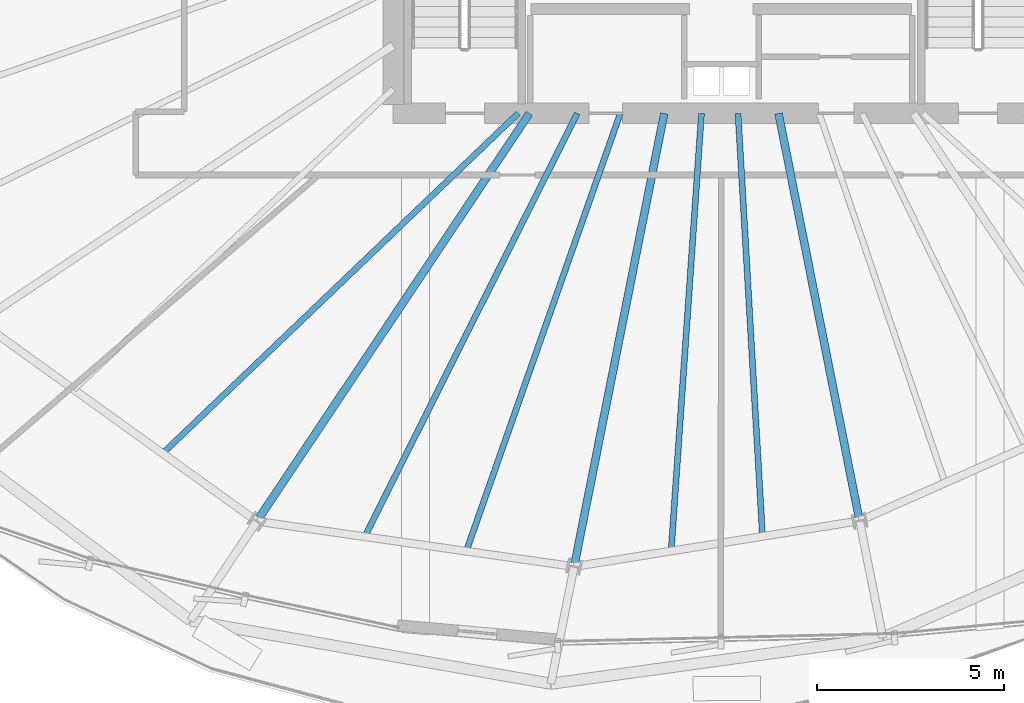
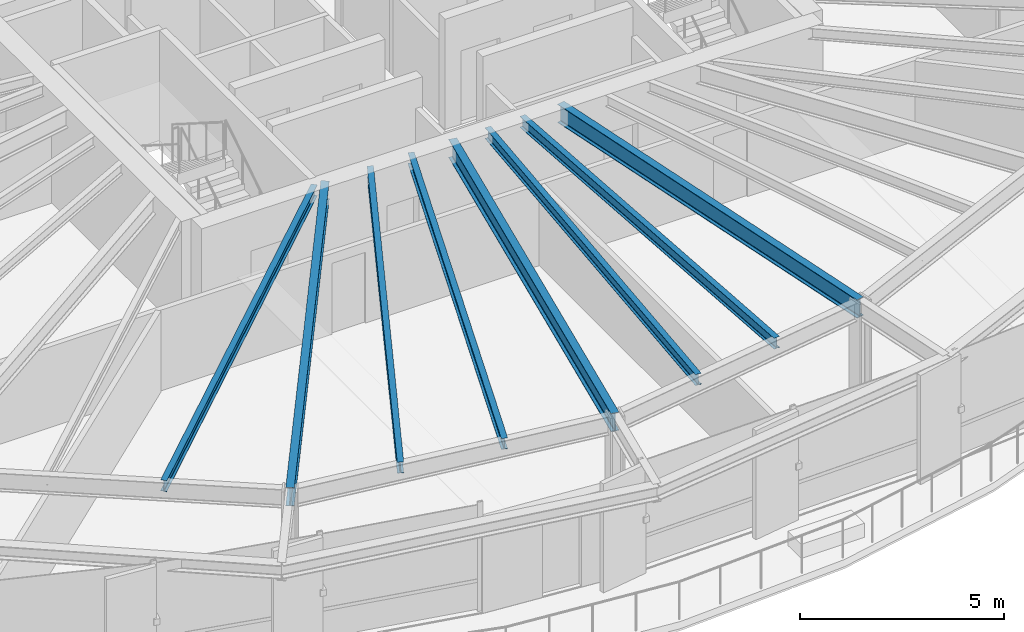
# One storey, part 7 of 37: 8 beams.
"""IFC4 building model written with IfcOpenShell, lengths in metres."""

import ifcopenshell
import ifcopenshell.guid

model = None  # the IFC model being written
_history = None  # IfcOwnerHistory: only IFC2X3 demands one
_inside = {}  # id of a spatial element -> (the spatial element, [elements in it])
_under = {}  # id of a project, library or spatial element -> (it, [spatial elements below it])
_declared = {}  # id of a project -> (the project, [libraries it declares])
_typed = {}  # id of a type object -> (the type object, [elements of that type])
_made_of = {}  # id of a material, layer set ... -> (it, [elements and type objects made of it])


def new_model(schema):
    """Start an empty IFC model of exactly this schema.

    Asked for "IFC4X3", IfcOpenShell would pick the latest addendum, in which some entities
    have other attributes; the version numbers below select the first issue.
    IFC2X3 requires an IfcOwnerHistory on every rooted entity: one is made here for all.
    """
    global model, _history
    if schema == "IFC4X3":
        model = ifcopenshell.file(schema_version=(4, 3, 0, 0))
    else:
        model = ifcopenshell.file(schema=schema)
    _inside.clear()
    _under.clear()
    _declared.clear()
    _typed.clear()
    _made_of.clear()
    _history = None
    if model.schema == "IFC2X3":
        org = make("IfcOrganization", Name="unknown")
        user = make(
            "IfcPersonAndOrganization",
            ThePerson=make("IfcPerson", FamilyName="unknown"),
            TheOrganization=org,
        )
        app = make(
            "IfcApplication",
            ApplicationDeveloper=org,
            Version="unknown",
            ApplicationFullName="unknown",
            ApplicationIdentifier="unknown",
        )
        _history = make(
            "IfcOwnerHistory",
            OwningUser=user,
            OwningApplication=app,
            ChangeAction="ADDED",
            CreationDate=0,
        )
    return model


def make(cls, **values):
    """One entity of the class cls with the attributes given. An attribute that is None is left unset."""
    return model.create_entity(
        cls, **{name: value for name, value in values.items() if value is not None}
    )


def rooted(cls, **values):
    """An entity with a GlobalId (a new one), such as an element, a storey or a relation."""
    return make(cls, GlobalId=ifcopenshell.guid.new(), OwnerHistory=_history, **values)


def si_unit(unit_type, name, prefix=None):
    """IfcSIUnit, for example si_unit("LENGTHUNIT", "METRE", prefix="MILLI")."""
    return make("IfcSIUnit", UnitType=unit_type, Prefix=prefix, Name=name)


def assignment(units):
    """IfcUnitAssignment: the units of a project."""
    return None if units is None else make("IfcUnitAssignment", Units=units)


def point(xyz):
    """IfcCartesianPoint."""
    return None if xyz is None else make("IfcCartesianPoint", Coordinates=xyz)


def direction(xyz):
    """IfcDirection."""
    return None if xyz is None else make("IfcDirection", DirectionRatios=xyz)


def frame(location, z_axis=None, x_axis=None):
    """IfcAxis2Placement3D, a coordinate frame: its origin and axes. An axis left out is left unset."""
    return make(
        "IfcAxis2Placement3D",
        Location=point(location),
        Axis=direction(z_axis),
        RefDirection=direction(x_axis),
    )


def frame_2d(location, x_axis=None):
    """IfcAxis2Placement2D, a coordinate frame in the plane: its origin and x axis."""
    return make(
        "IfcAxis2Placement2D", Location=point(location), RefDirection=direction(x_axis)
    )


def origin():
    """The frame at (0, 0, 0) with its axes left unset."""
    return frame((0.0, 0.0, 0.0))


def origin_2d():
    """The frame at (0, 0) in the plane with its x axis left unset."""
    return frame_2d((0.0, 0.0))


def place(relative_to, where):
    """IfcLocalPlacement: puts the frame where relative to a parent placement (None: the world)."""
    return make(
        "IfcLocalPlacement", PlacementRelTo=relative_to, RelativePlacement=where
    )


def context(
    kind, dimensions, precision=None, world=None, true_north=None, identifier=None
):
    """IfcGeometricRepresentationContext, for example the 3D "Model" context."""
    return make(
        "IfcGeometricRepresentationContext",
        ContextIdentifier=identifier,
        ContextType=kind,
        CoordinateSpaceDimension=dimensions,
        Precision=precision,
        WorldCoordinateSystem=world,
        TrueNorth=true_north,
    )


def subcontext(parent, identifier, kind, view, scale=None):
    """IfcGeometricRepresentationSubContext, for example "Body" below "Model"."""
    return make(
        "IfcGeometricRepresentationSubContext",
        ContextIdentifier=identifier,
        ContextType=kind,
        ParentContext=parent,
        TargetScale=scale,
        TargetView=view,
    )


def project(units=None, contexts=None):
    """IfcProject with its units and contexts."""
    return rooted(
        "IfcProject",
        Name="project",
        RepresentationContexts=contexts,
        UnitsInContext=assignment(units),
    )


def spatial(cls, under=None, at=None, **own):
    """A site, building, storey or space (cls), placed at a placement, below another one or the project."""
    s = rooted(cls, ObjectPlacement=at, **own)
    if under is not None:
        _under.setdefault(under.id(), (under, []))[1].append(s)
    return s


def profile(cls, at=None, kind="AREA", **sizes):
    """A parametric profile (cls). Its sizes go by their IFC names, for example OverallWidth=200.0."""
    return make(cls, ProfileType=kind, Position=at, **sizes)


def i_section(**sizes):
    """IfcIShapeProfileDef."""
    return profile("IfcIShapeProfileDef", **sizes)


def extrude(swept, where, along, depth):
    """IfcExtrudedAreaSolid: the profile swept, set in the frame where, extruded along a direction by depth."""
    return make(
        "IfcExtrudedAreaSolid",
        SweptArea=swept,
        Position=where,
        ExtrudedDirection=direction(along),
        Depth=depth,
    )


def shape(context_of_items, identifier, shape_type, items):
    """IfcShapeRepresentation: the items that make up one representation, for example the "Body"."""
    return make(
        "IfcShapeRepresentation",
        ContextOfItems=context_of_items,
        RepresentationIdentifier=identifier,
        RepresentationType=shape_type,
        Items=items,
    )


def source(mapping_origin, context_of_items, identifier, shape_type, items):
    """IfcRepresentationMap: a shape defined once, which mapped items show again and again."""
    return make(
        "IfcRepresentationMap",
        MappingOrigin=mapping_origin,
        MappedRepresentation=shape(context_of_items, identifier, shape_type, items),
    )


def transform(
    local_origin,
    x_axis=None,
    y_axis=None,
    z_axis=None,
    scale=None,
    scale2=None,
    scale3=None,
    uniform=True,
):
    """IfcCartesianTransformationOperator3D, or its non-uniform kind. x_axis, y_axis, z_axis: its Axis1, 2, 3."""
    if uniform:
        return make(
            "IfcCartesianTransformationOperator3D",
            Axis1=direction(x_axis),
            Axis2=direction(y_axis),
            LocalOrigin=point(local_origin),
            Scale=scale,
            Axis3=direction(z_axis),
        )
    return make(
        "IfcCartesianTransformationOperator3DnonUniform",
        Axis1=direction(x_axis),
        Axis2=direction(y_axis),
        LocalOrigin=point(local_origin),
        Scale=scale,
        Axis3=direction(z_axis),
        Scale2=scale2,
        Scale3=scale3,
    )


def mapped(mapping_source, mapping_target):
    """IfcMappedItem: shows the shape of a source again, moved by a transform."""
    return make(
        "IfcMappedItem", MappingSource=mapping_source, MappingTarget=mapping_target
    )


def material(Name=None, Category=None):
    """IfcMaterial."""
    return make("IfcMaterial", Name=Name, Category=Category)


def material_profile(
    of_material, cross_section, Name=None, Category=None, Priority=None
):
    """IfcMaterialProfile: a cross section and its material."""
    return make(
        "IfcMaterialProfile",
        Name=Name,
        Material=of_material,
        Profile=cross_section,
        Priority=Priority,
        Category=Category,
    )


def profile_set(profiles, Name=None, composite=None):
    """IfcMaterialProfileSet."""
    return make(
        "IfcMaterialProfileSet",
        Name=Name,
        MaterialProfiles=profiles,
        CompositeProfile=composite,
    )


def made_of(thing, what):
    """Note that an element or type object is made of a material, layer set ...; save() writes the relation."""
    if what is not None:
        _made_of.setdefault(what.id(), (what, []))[1].append(thing)
    return thing


def type_object(cls, material=None, **own):
    """A type object (cls), such as IfcWallType, which elements share."""
    return made_of(rooted(cls, **own), material)


def element(
    cls,
    number,
    at=None,
    inside=None,
    cuts=None,
    type_object=None,
    material=None,
    context=None,
    identifier="Body",
    shape_type=None,
    held_by="IfcProductDefinitionShape",
    body=None,
    shapes=None,
    **own,
):
    """One element of the class cls, such as IfcWall. Its Tag is "e" and its number.

    at: its placement. inside: the storey or other place that contains it. cuts: it is an
    opening in that element (IfcRelVoidsElement). A single representation is given by context,
    identifier, shape_type and body (its items); several are given by shapes. held_by: the class
    of the entity that holds the representations. save() writes the other relations.
    """
    e = rooted(cls, Tag="e%d" % number, ObjectPlacement=at, **own)
    if body is not None:
        shapes = [shape(context, identifier, shape_type, body)]
    if shapes is not None:
        e.Representation = make(held_by, Representations=shapes)
    if inside is not None:
        _inside.setdefault(inside.id(), (inside, []))[1].append(e)
    if cuts is not None:
        rooted(
            "IfcRelVoidsElement", RelatingBuildingElement=cuts, RelatedOpeningElement=e
        )
    if type_object is not None:
        _typed.setdefault(type_object.id(), (type_object, []))[1].append(e)
    return made_of(e, material)


def aggregate(whole, parts):
    """IfcRelAggregates: a whole, such as a stair, and the parts it consists of."""
    return rooted("IfcRelAggregates", RelatingObject=whole, RelatedObjects=parts)


def save(model, path):
    """Write the relations noted so far, then the file.

    IfcRelAggregates (storeys below a building ...), IfcRelContainedInSpatialStructure (elements
    in a storey), IfcRelDefinesByType, IfcRelAssociatesMaterial and IfcRelDeclares: one each for
    every whole, place, type object, material and project.
    """
    for whole, parts in _under.values():
        aggregate(whole, parts)
    for where, things in _inside.values():
        rooted(
            "IfcRelContainedInSpatialStructure",
            RelatedElements=things,
            RelatingStructure=where,
        )
    for kind, things in _typed.values():
        rooted("IfcRelDefinesByType", RelatedObjects=things, RelatingType=kind)
    for what, things in _made_of.values():
        rooted("IfcRelAssociatesMaterial", RelatedObjects=things, RelatingMaterial=what)
    for by, libraries in _declared.values():
        rooted("IfcRelDeclares", RelatingContext=by, RelatedDefinitions=libraries)
    model.write(path)


model = new_model("IFC4")

# Units and contexts
model_context = context("Model", 3, precision=1e-05, world=origin(), true_north=direction((0.0, 1.0)))
body_context = subcontext(model_context, "Body", "Model", "MODEL_VIEW")
ifc_project = project(units=[si_unit("LENGTHUNIT", "METRE"), si_unit("AREAUNIT", "SQUARE_METRE"), si_unit("VOLUMEUNIT", "CUBIC_METRE"), si_unit("PLANEANGLEUNIT", "RADIAN"), si_unit("MASSUNIT", "GRAM", prefix="KILO"), si_unit("THERMODYNAMICTEMPERATUREUNIT", "KELVIN")], contexts=[model_context])

# Site, building, storey
site_placement = place(None, origin())
site = spatial("IfcSite", under=ifc_project, at=site_placement, CompositionType="ELEMENT")
building_placement = place(site_placement, origin())
building = spatial("IfcBuilding", under=site, at=building_placement, Name="Kethvar Cultural Tower", CompositionType="ELEMENT")
storey_placement = place(building_placement, frame((0.0, 0.0, 132.35009765625)))
storey = spatial("IfcBuildingStorey", under=building, at=storey_placement, Name="L33", CompositionType="ELEMENT", Elevation=132.35009765625)

# Beams
ifc_material = material(Name="Steel S355J2", Category="steel")
ifc_material_profile_1 = material_profile(ifc_material, i_section(OverallWidth=0.2099609375, OverallDepth=0.550048828125, WebThickness=0.010986328125, FlangeThickness=0.01708984375, FilletRadius=0.02392578125, at=origin_2d()), Name="Steel S355J2 — IPE550")
ifc_profile_set_1 = profile_set([ifc_material_profile_1], Name="Steel S355J2 — IPE550")
beam_type_1 = type_object("IfcBeamType", Name="BM-IPE550", PredefinedType="BEAM", material=ifc_profile_set_1)
shared_shape_1 = source(origin(), body_context, "Body", "SweptSolid", [
    extrude(i_section(OverallWidth=0.2099609375, OverallDepth=0.550048828125, WebThickness=0.010986328125, FlangeThickness=0.01708984375, FilletRadius=0.02392578125, at=origin_2d()), origin(), (0.0, 0.0, 1.0), 13.147216796875),
])
beam_1_placement = place(storey_placement, frame((41.655029296875, 20.10009765625, 3.02294921875), z_axis=(-0.555565525446, -0.831472757783, 0.0), x_axis=(0.831472757783, -0.555565525446, 0.0)))
element("IfcBeam", 1, at=beam_1_placement, inside=storey, type_object=beam_type_1, Name="L33 Primary Radial Beam RB-11", PredefinedType="BEAM", context=body_context, shape_type="MappedRepresentation", body=[
    mapped(shared_shape_1, transform((0.0, 0.0, 0.0), scale=1.0)),
])
shared_shape_2 = source(origin(), body_context, "Body", "SweptSolid", [
    extrude(i_section(OverallWidth=0.2099609375, OverallDepth=0.550048828125, WebThickness=0.010986328125, FlangeThickness=0.01708984375, FilletRadius=0.02392578125, at=origin_2d()), origin(), (0.0, 0.0, 1.0), 12.384521484375),
])
beam_2_placement = place(storey_placement, frame((45.268310546875, 20.10009765625, 3.02294921875), z_axis=(-0.195084858678, -0.980786367113, 0.0), x_axis=(0.980786367113, -0.195084858678, 0.0)))
element("IfcBeam", 2, at=beam_2_placement, inside=storey, type_object=beam_type_1, Name="L33 Primary Radial Beam RB-12", PredefinedType="BEAM", context=body_context, shape_type="MappedRepresentation", body=[
    mapped(shared_shape_2, transform((0.0, 0.0, 0.0), scale=1.0)),
])
shared_shape_3 = source(origin(), body_context, "Body", "SweptSolid", [
    extrude(i_section(OverallWidth=0.2099609375, OverallDepth=0.550048828125, WebThickness=0.010986328125, FlangeThickness=0.01708984375, FilletRadius=0.02392578125, at=origin_2d()), origin(), (0.0, 0.0, 1.0), 11.131591796875),
])
beam_3_placement = place(storey_placement, frame((48.33154296875, 20.10009765625, 3.02294921875), z_axis=(0.195107998266, -0.980781764213, 0.0), x_axis=(0.980781764213, 0.195107998266, 0.0)))
element("IfcBeam", 3, at=beam_3_placement, inside=storey, type_object=beam_type_1, Name="L33 Primary Radial Beam RB-13", PredefinedType="BEAM", context=body_context, shape_type="MappedRepresentation", body=[
    mapped(shared_shape_3, transform((0.0, 0.0, 0.0), scale=1.0)),
])
ifc_material_profile_2 = material_profile(ifc_material, i_section(OverallWidth=0.159912109375, OverallDepth=0.330078125, WebThickness=0.007568359375, FlangeThickness=0.011474609375, FilletRadius=0.01806640625, at=origin_2d()), Name="Steel S355J2 — IPE330")
ifc_profile_set_2 = profile_set([ifc_material_profile_2], Name="Steel S355J2 — IPE330")
beam_type_2 = type_object("IfcBeamType", Name="BM-J330", PredefinedType="JOIST", material=ifc_profile_set_2)
shared_shape_4 = source(origin(), body_context, "Body", "SweptSolid", [
    extrude(i_section(OverallWidth=0.159912109375, OverallDepth=0.330078125, WebThickness=0.007568359375, FlangeThickness=0.011474609375, FilletRadius=0.01806640625, at=origin_2d()), origin(), (0.0, 0.0, 1.0), 13.1826171875),
])
beam_4_placement = place(storey_placement, frame((41.35009765625, 20.10009765625, 3.1328125), z_axis=(-0.722573880181, -0.691293705801, 0.0), x_axis=(0.691293705801, -0.722573880181, 0.0)))
element("IfcBeam", 4, at=beam_4_placement, inside=storey, type_object=beam_type_2, Name="L33 Composite Floor Joist J-10B", PredefinedType="JOIST", context=body_context, shape_type="MappedRepresentation", body=[
    mapped(shared_shape_4, transform((0.0, 0.0, 0.0), scale=1.0)),
])
shared_shape_5 = source(origin(), body_context, "Body", "SweptSolid", [
    extrude(i_section(OverallWidth=0.159912109375, OverallDepth=0.330078125, WebThickness=0.007568359375, FlangeThickness=0.011474609375, FilletRadius=0.01806640625, at=origin_2d()), origin(), (0.0, 0.0, 1.0), 12.693603515625),
])
beam_5_placement = place(storey_placement, frame((42.935302734375, 20.10009765625, 3.1328125), z_axis=(-0.448582495233, -0.893741430712, 0.0), x_axis=(0.893741430712, -0.448582495233, 0.0)))
element("IfcBeam", 5, at=beam_5_placement, inside=storey, type_object=beam_type_2, Name="L33 Composite Floor Joist J-11A", PredefinedType="JOIST", context=body_context, shape_type="MappedRepresentation", body=[
    mapped(shared_shape_5, transform((0.0, 0.0, 0.0), scale=1.0)),
])
shared_shape_6 = source(origin(), body_context, "Body", "SweptSolid", [
    extrude(i_section(OverallWidth=0.159912109375, OverallDepth=0.330078125, WebThickness=0.007568359375, FlangeThickness=0.011474609375, FilletRadius=0.01806640625, at=origin_2d()), origin(), (0.0, 0.0, 1.0), 12.4384765625),
])
beam_6_placement = place(storey_placement, frame((44.090576171875, 20.10009765625, 3.1328125), z_axis=(-0.331923676994, -0.943306245421, 0.0), x_axis=(0.943306245421, -0.331923676994, 0.0)))
element("IfcBeam", 6, at=beam_6_placement, inside=storey, type_object=beam_type_2, Name="L33 Composite Floor Joist J-11B", PredefinedType="JOIST", context=body_context, shape_type="MappedRepresentation", body=[
    mapped(shared_shape_6, transform((0.0, 0.0, 0.0), scale=1.0)),
])
shared_shape_7 = source(origin(), body_context, "Body", "SweptSolid", [
    extrude(i_section(OverallWidth=0.159912109375, OverallDepth=0.330078125, WebThickness=0.007568359375, FlangeThickness=0.011474609375, FilletRadius=0.01806640625, at=origin_2d()), origin(), (0.0, 0.0, 1.0), 11.7568359375),
])
beam_7_placement = place(storey_placement, frame((46.266357421875, 20.10009765625, 3.1328125), z_axis=(-0.069129203877, -0.997607715072, 0.0), x_axis=(0.997607715072, -0.069129203877, 0.0)))
element("IfcBeam", 7, at=beam_7_placement, inside=storey, type_object=beam_type_2, Name="L33 Composite Floor Joist J-12A", PredefinedType="JOIST", context=body_context, shape_type="MappedRepresentation", body=[
    mapped(shared_shape_7, transform((0.0, 0.0, 0.0), scale=1.0)),
])
shared_shape_8 = source(origin(), body_context, "Body", "SweptSolid", [
    extrude(i_section(OverallWidth=0.159912109375, OverallDepth=0.330078125, WebThickness=0.007568359375, FlangeThickness=0.011474609375, FilletRadius=0.01806640625, at=origin_2d()), origin(), (0.0, 0.0, 1.0), 11.354736328125),
])
beam_8_placement = place(storey_placement, frame((47.245849609375, 20.10009765625, 3.1328125), z_axis=(0.057795585741, -0.998328438075, 0.0), x_axis=(0.998328438075, 0.057795585741, 0.0)))
element("IfcBeam", 8, at=beam_8_placement, inside=storey, type_object=beam_type_2, Name="L33 Composite Floor Joist J-12B", PredefinedType="JOIST", context=body_context, shape_type="MappedRepresentation", body=[
    mapped(shared_shape_8, transform((0.0, 0.0, 0.0), scale=1.0)),
])

save(model, "model.ifc")
